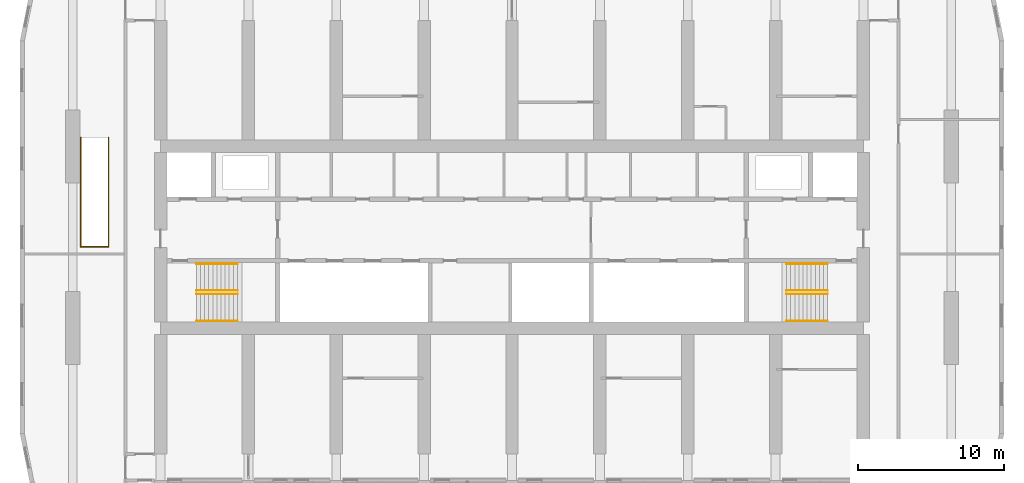
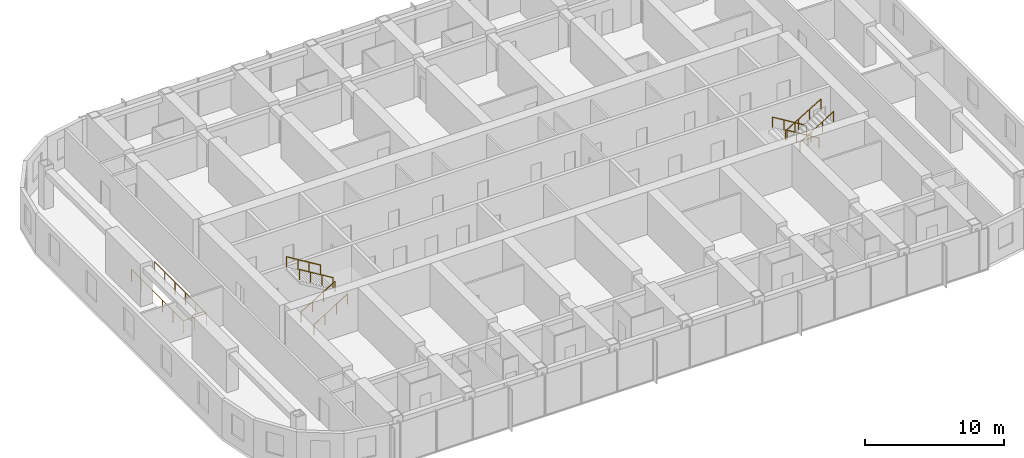
# One storey, part 22 of 22: 9 railings.
"""IFC4 building model written with IfcOpenShell, lengths in metres."""

import ifcopenshell
import ifcopenshell.guid

model = None  # the IFC model being written
_history = None  # IfcOwnerHistory: only IFC2X3 demands one
_inside = {}  # id of a spatial element -> (the spatial element, [elements in it])
_under = {}  # id of a project, library or spatial element -> (it, [spatial elements below it])
_declared = {}  # id of a project -> (the project, [libraries it declares])
_typed = {}  # id of a type object -> (the type object, [elements of that type])
_made_of = {}  # id of a material, layer set ... -> (it, [elements and type objects made of it])


def new_model(schema):
    """Start an empty IFC model of exactly this schema.

    Asked for "IFC4X3", IfcOpenShell would pick the latest addendum, in which some entities
    have other attributes; the version numbers below select the first issue.
    IFC2X3 requires an IfcOwnerHistory on every rooted entity: one is made here for all.
    """
    global model, _history
    if schema == "IFC4X3":
        model = ifcopenshell.file(schema_version=(4, 3, 0, 0))
    else:
        model = ifcopenshell.file(schema=schema)
    _inside.clear()
    _under.clear()
    _declared.clear()
    _typed.clear()
    _made_of.clear()
    _history = None
    if model.schema == "IFC2X3":
        org = make("IfcOrganization", Name="unknown")
        user = make(
            "IfcPersonAndOrganization",
            ThePerson=make("IfcPerson", FamilyName="unknown"),
            TheOrganization=org,
        )
        app = make(
            "IfcApplication",
            ApplicationDeveloper=org,
            Version="unknown",
            ApplicationFullName="unknown",
            ApplicationIdentifier="unknown",
        )
        _history = make(
            "IfcOwnerHistory",
            OwningUser=user,
            OwningApplication=app,
            ChangeAction="ADDED",
            CreationDate=0,
        )
    return model


def make(cls, **values):
    """One entity of the class cls with the attributes given. An attribute that is None is left unset."""
    return model.create_entity(
        cls, **{name: value for name, value in values.items() if value is not None}
    )


def rooted(cls, **values):
    """An entity with a GlobalId (a new one), such as an element, a storey or a relation."""
    return make(cls, GlobalId=ifcopenshell.guid.new(), OwnerHistory=_history, **values)


def si_unit(unit_type, name, prefix=None):
    """IfcSIUnit, for example si_unit("LENGTHUNIT", "METRE", prefix="MILLI")."""
    return make("IfcSIUnit", UnitType=unit_type, Prefix=prefix, Name=name)


def assignment(units):
    """IfcUnitAssignment: the units of a project."""
    return None if units is None else make("IfcUnitAssignment", Units=units)


def point(xyz):
    """IfcCartesianPoint."""
    return None if xyz is None else make("IfcCartesianPoint", Coordinates=xyz)


def direction(xyz):
    """IfcDirection."""
    return None if xyz is None else make("IfcDirection", DirectionRatios=xyz)


def frame(location, z_axis=None, x_axis=None):
    """IfcAxis2Placement3D, a coordinate frame: its origin and axes. An axis left out is left unset."""
    return make(
        "IfcAxis2Placement3D",
        Location=point(location),
        Axis=direction(z_axis),
        RefDirection=direction(x_axis),
    )


def frame_2d(location, x_axis=None):
    """IfcAxis2Placement2D, a coordinate frame in the plane: its origin and x axis."""
    return make(
        "IfcAxis2Placement2D", Location=point(location), RefDirection=direction(x_axis)
    )


def origin():
    """The frame at (0, 0, 0) with its axes left unset."""
    return frame((0.0, 0.0, 0.0))


def origin_2d():
    """The frame at (0, 0) in the plane with its x axis left unset."""
    return frame_2d((0.0, 0.0))


def place(relative_to, where):
    """IfcLocalPlacement: puts the frame where relative to a parent placement (None: the world)."""
    return make(
        "IfcLocalPlacement", PlacementRelTo=relative_to, RelativePlacement=where
    )


def context(
    kind, dimensions, precision=None, world=None, true_north=None, identifier=None
):
    """IfcGeometricRepresentationContext, for example the 3D "Model" context."""
    return make(
        "IfcGeometricRepresentationContext",
        ContextIdentifier=identifier,
        ContextType=kind,
        CoordinateSpaceDimension=dimensions,
        Precision=precision,
        WorldCoordinateSystem=world,
        TrueNorth=true_north,
    )


def subcontext(parent, identifier, kind, view, scale=None):
    """IfcGeometricRepresentationSubContext, for example "Body" below "Model"."""
    return make(
        "IfcGeometricRepresentationSubContext",
        ContextIdentifier=identifier,
        ContextType=kind,
        ParentContext=parent,
        TargetScale=scale,
        TargetView=view,
    )


def project(units=None, contexts=None):
    """IfcProject with its units and contexts."""
    return rooted(
        "IfcProject",
        Name="project",
        RepresentationContexts=contexts,
        UnitsInContext=assignment(units),
    )


def spatial(cls, under=None, at=None, **own):
    """A site, building, storey or space (cls), placed at a placement, below another one or the project."""
    s = rooted(cls, ObjectPlacement=at, **own)
    if under is not None:
        _under.setdefault(under.id(), (under, []))[1].append(s)
    return s


def profile(cls, at=None, kind="AREA", **sizes):
    """A parametric profile (cls). Its sizes go by their IFC names, for example OverallWidth=200.0."""
    return make(cls, ProfileType=kind, Position=at, **sizes)


def circle(**sizes):
    """IfcCircleProfileDef."""
    return profile("IfcCircleProfileDef", **sizes)


def extrude(swept, where, along, depth):
    """IfcExtrudedAreaSolid: the profile swept, set in the frame where, extruded along a direction by depth."""
    return make(
        "IfcExtrudedAreaSolid",
        SweptArea=swept,
        Position=where,
        ExtrudedDirection=direction(along),
        Depth=depth,
    )


def shape(context_of_items, identifier, shape_type, items):
    """IfcShapeRepresentation: the items that make up one representation, for example the "Body"."""
    return make(
        "IfcShapeRepresentation",
        ContextOfItems=context_of_items,
        RepresentationIdentifier=identifier,
        RepresentationType=shape_type,
        Items=items,
    )


def material(Name=None, Category=None):
    """IfcMaterial."""
    return make("IfcMaterial", Name=Name, Category=Category)


def made_of(thing, what):
    """Note that an element or type object is made of a material, layer set ...; save() writes the relation."""
    if what is not None:
        _made_of.setdefault(what.id(), (what, []))[1].append(thing)
    return thing


def type_object(cls, material=None, **own):
    """A type object (cls), such as IfcWallType, which elements share."""
    return made_of(rooted(cls, **own), material)


def element(
    cls,
    number,
    at=None,
    inside=None,
    cuts=None,
    type_object=None,
    material=None,
    context=None,
    identifier="Body",
    shape_type=None,
    held_by="IfcProductDefinitionShape",
    body=None,
    shapes=None,
    **own,
):
    """One element of the class cls, such as IfcWall. Its Tag is "e" and its number.

    at: its placement. inside: the storey or other place that contains it. cuts: it is an
    opening in that element (IfcRelVoidsElement). A single representation is given by context,
    identifier, shape_type and body (its items); several are given by shapes. held_by: the class
    of the entity that holds the representations. save() writes the other relations.
    """
    e = rooted(cls, Tag="e%d" % number, ObjectPlacement=at, **own)
    if body is not None:
        shapes = [shape(context, identifier, shape_type, body)]
    if shapes is not None:
        e.Representation = make(held_by, Representations=shapes)
    if inside is not None:
        _inside.setdefault(inside.id(), (inside, []))[1].append(e)
    if cuts is not None:
        rooted(
            "IfcRelVoidsElement", RelatingBuildingElement=cuts, RelatedOpeningElement=e
        )
    if type_object is not None:
        _typed.setdefault(type_object.id(), (type_object, []))[1].append(e)
    return made_of(e, material)


def aggregate(whole, parts):
    """IfcRelAggregates: a whole, such as a stair, and the parts it consists of."""
    return rooted("IfcRelAggregates", RelatingObject=whole, RelatedObjects=parts)


def save(model, path):
    """Write the relations noted so far, then the file.

    IfcRelAggregates (storeys below a building ...), IfcRelContainedInSpatialStructure (elements
    in a storey), IfcRelDefinesByType, IfcRelAssociatesMaterial and IfcRelDeclares: one each for
    every whole, place, type object, material and project.
    """
    for whole, parts in _under.values():
        aggregate(whole, parts)
    for where, things in _inside.values():
        rooted(
            "IfcRelContainedInSpatialStructure",
            RelatedElements=things,
            RelatingStructure=where,
        )
    for kind, things in _typed.values():
        rooted("IfcRelDefinesByType", RelatedObjects=things, RelatingType=kind)
    for what, things in _made_of.values():
        rooted("IfcRelAssociatesMaterial", RelatedObjects=things, RelatingMaterial=what)
    for by, libraries in _declared.values():
        rooted("IfcRelDeclares", RelatingContext=by, RelatedDefinitions=libraries)
    model.write(path)


model = new_model("IFC4")

# Units and contexts
model_context = context("Model", 3, precision=1e-05, world=origin(), true_north=direction((0.0, 1.0)))
body_context = subcontext(model_context, "Body", "Model", "MODEL_VIEW")
ifc_project = project(units=[si_unit("LENGTHUNIT", "METRE"), si_unit("AREAUNIT", "SQUARE_METRE"), si_unit("VOLUMEUNIT", "CUBIC_METRE"), si_unit("PLANEANGLEUNIT", "RADIAN"), si_unit("MASSUNIT", "GRAM", prefix="KILO")], contexts=[model_context])

# Site, building, storey
site_placement = place(None, origin())
site = spatial("IfcSite", under=ifc_project, at=site_placement, CompositionType="ELEMENT")
building_placement = place(site_placement, origin())
building = spatial("IfcBuilding", under=site, at=building_placement, Name="Orbita Commons", CompositionType="ELEMENT")
storey_placement = place(building_placement, frame((0.0, 0.0, 197.35009765625)))
storey = spatial("IfcBuildingStorey", under=building, at=storey_placement, Name="L49", CompositionType="ELEMENT", Elevation=197.35009765625)

# Railings
ifc_material_1 = material(Name="Steel tube, painted", Category="steel")
railing_type_1 = type_object("IfcRailingType", Name="Stair handrail steel tube 900", PredefinedType="HANDRAIL", material=ifc_material_1)
for number, where, name in (
    (1, (20.449951171875, 28.114990234375, 0.17041015625), "Stair S1 handrail L49 flight 1"),
    (2, (20.449951171875, 26.284912109375, 0.17041015625), "Stair S1 handrail L49 flight 1"),
):
    element("IfcRailing", number, at=place(storey_placement, frame(where)), inside=storey, type_object=railing_type_1, Name=name, PredefinedType="HANDRAIL", context=body_context, shape_type="SweptSolid", body=[
        extrude(circle(Radius=0.02099609375, at=origin_2d()), frame((0.0, 0.0, 0.87890625), z_axis=(0.854169791009, 0.0, 0.51999420009), x_axis=(0.0, 1.0, 0.0)), (0.0, 0.0, 1.0), 3.278076171875),
        extrude(circle(Radius=0.02001953125, at=origin_2d()), origin(), (0.0, 0.0, 1.0), 0.85791015625),
        extrude(circle(Radius=0.02001953125, at=origin_2d()), frame((0.933349609375, 0.0, 0.568115234375)), (0.0, 0.0, 1.0), 0.85791015625),
        extrude(circle(Radius=0.02001953125, at=origin_2d()), frame((1.86669921875, 0.0, 1.136474609375)), (0.0, 0.0, 1.0), 0.85791015625),
        extrude(circle(Radius=0.02001953125, at=origin_2d()), frame((2.800048828125, 0.0, 1.70458984375)), (0.0, 0.0, 1.0), 0.85791015625),
    ])
for number, where, name in (
    (3, (23.25, 28.360107421875, 2.04541015625), "Stair S1 handrail L49 flight 2"),
    (4, (23.25, 30.18994140625, 2.04541015625), "Stair S1 handrail L49 flight 2"),
    (5, (63.550048828125, 28.360107421875, 0.17041015625), "Stair S2 handrail L49 flight 1"),
    (6, (63.550048828125, 30.18994140625, 0.17041015625), "Stair S2 handrail L49 flight 1"),
):
    element("IfcRailing", number, at=place(storey_placement, frame(where)), inside=storey, type_object=railing_type_1, Name=name, PredefinedType="HANDRAIL", context=body_context, shape_type="SweptSolid", body=[
        extrude(circle(Radius=0.02099609375, at=origin_2d()), frame((0.0, 0.0, 0.87890625), z_axis=(-0.854169791009, 0.0, 0.51999420009), x_axis=(0.0, -1.0, 0.0)), (0.0, 0.0, 1.0), 3.278076171875),
        extrude(circle(Radius=0.02001953125, at=origin_2d()), origin(), (0.0, 0.0, 1.0), 0.85791015625),
        extrude(circle(Radius=0.02001953125, at=origin_2d()), frame((-0.933349609375, 0.0, 0.568115234375)), (0.0, 0.0, 1.0), 0.85791015625),
        extrude(circle(Radius=0.02001953125, at=origin_2d()), frame((-1.86669921875, 0.0, 1.136474609375)), (0.0, 0.0, 1.0), 0.85791015625),
        extrude(circle(Radius=0.02001953125, at=origin_2d()), frame((-2.800048828125, 0.0, 1.70458984375)), (0.0, 0.0, 1.0), 0.85791015625),
    ])
for number, where, name in (
    (7, (60.75, 28.114990234375, 2.04541015625), "Stair S2 handrail L49 flight 2"),
    (8, (60.75, 26.284912109375, 2.04541015625), "Stair S2 handrail L49 flight 2"),
):
    element("IfcRailing", number, at=place(storey_placement, frame(where)), inside=storey, type_object=railing_type_1, Name=name, PredefinedType="HANDRAIL", context=body_context, shape_type="SweptSolid", body=[
        extrude(circle(Radius=0.02099609375, at=origin_2d()), frame((0.0, 0.0, 0.87890625), z_axis=(0.854169791009, 0.0, 0.51999420009), x_axis=(0.0, 1.0, 0.0)), (0.0, 0.0, 1.0), 3.278076171875),
        extrude(circle(Radius=0.02001953125, at=origin_2d()), origin(), (0.0, 0.0, 1.0), 0.85791015625),
        extrude(circle(Radius=0.02001953125, at=origin_2d()), frame((0.933349609375, 0.0, 0.568115234375)), (0.0, 0.0, 1.0), 0.85791015625),
        extrude(circle(Radius=0.02001953125, at=origin_2d()), frame((1.86669921875, 0.0, 1.136474609375)), (0.0, 0.0, 1.0), 0.85791015625),
        extrude(circle(Radius=0.02001953125, at=origin_2d()), frame((2.800048828125, 0.0, 1.70458984375)), (0.0, 0.0, 1.0), 0.85791015625),
    ])
ifc_material_2 = material(Name="Laminated glass on steel posts", Category="steel")
railing_type_2 = type_object("IfcRailingType", Name="Void guard, glass on steel posts 1100", PredefinedType="GUARDRAIL", material=ifc_material_2)
railing_placement = place(storey_placement, frame((12.550048828125, 38.800048828125, 0.0)))
element("IfcRailing", 9, at=railing_placement, inside=storey, type_object=railing_type_2, Name="Void guard L49", PredefinedType="GUARDRAIL", context=body_context, shape_type="SweptSolid", body=[
    extrude(circle(Radius=0.02490234375, at=origin_2d()), frame((0.0, 0.0, 1.0751953125), z_axis=(0.0, -1.0, 0.0), x_axis=(1.0, 0.0, 0.0)), (0.0, 0.0, 1.0), 7.449951171875),
    extrude(circle(Radius=0.02490234375, at=origin_2d()), frame((0.0, -7.449951171875, 1.0751953125), z_axis=(1.0, 0.0, 0.0), x_axis=(0.0, 1.0, 0.0)), (0.0, 0.0, 1.0), 1.89990234375),
    extrude(circle(Radius=0.02490234375, at=origin_2d()), frame((1.89990234375, -7.449951171875, 1.0751953125), z_axis=(0.0, 1.0, 0.0), x_axis=(-1.0, 0.0, 0.0)), (0.0, 0.0, 1.0), 7.449951171875),
    extrude(circle(Radius=0.02490234375, at=origin_2d()), origin(), (0.0, 0.0, 1.0), 1.050048828125),
    extrude(circle(Radius=0.02490234375, at=origin_2d()), frame((0.0, -1.489990234375, 0.0)), (0.0, 0.0, 1.0), 1.050048828125),
    extrude(circle(Radius=0.02490234375, at=origin_2d()), frame((0.0, -2.97998046875, 0.0)), (0.0, 0.0, 1.0), 1.050048828125),
    extrude(circle(Radius=0.02490234375, at=origin_2d()), frame((0.0, -4.469970703125, 0.0)), (0.0, 0.0, 1.0), 1.050048828125),
    extrude(circle(Radius=0.02490234375, at=origin_2d()), frame((0.0, -5.9599609375, 0.0)), (0.0, 0.0, 1.0), 1.050048828125),
    extrude(circle(Radius=0.02490234375, at=origin_2d()), frame((0.0, -7.449951171875, 0.0)), (0.0, 0.0, 1.0), 1.050048828125),
    extrude(circle(Radius=0.02490234375, at=origin_2d()), frame((0.949951171875, -7.449951171875, 0.0)), (0.0, 0.0, 1.0), 1.050048828125),
    extrude(circle(Radius=0.02490234375, at=origin_2d()), frame((1.89990234375, -7.449951171875, 0.0)), (0.0, 0.0, 1.0), 1.050048828125),
    extrude(circle(Radius=0.02490234375, at=origin_2d()), frame((1.89990234375, -5.9599609375, 0.0)), (0.0, 0.0, 1.0), 1.050048828125),
    extrude(circle(Radius=0.02490234375, at=origin_2d()), frame((1.89990234375, -4.469970703125, 0.0)), (0.0, 0.0, 1.0), 1.050048828125),
    extrude(circle(Radius=0.02490234375, at=origin_2d()), frame((1.89990234375, -2.97998046875, 0.0)), (0.0, 0.0, 1.0), 1.050048828125),
    extrude(circle(Radius=0.02490234375, at=origin_2d()), frame((1.89990234375, -1.489990234375, 0.0)), (0.0, 0.0, 1.0), 1.050048828125),
    extrude(circle(Radius=0.02490234375, at=origin_2d()), frame((1.89990234375, 0.0, 0.0)), (0.0, 0.0, 1.0), 1.050048828125),
])

save(model, "model.ifc")
